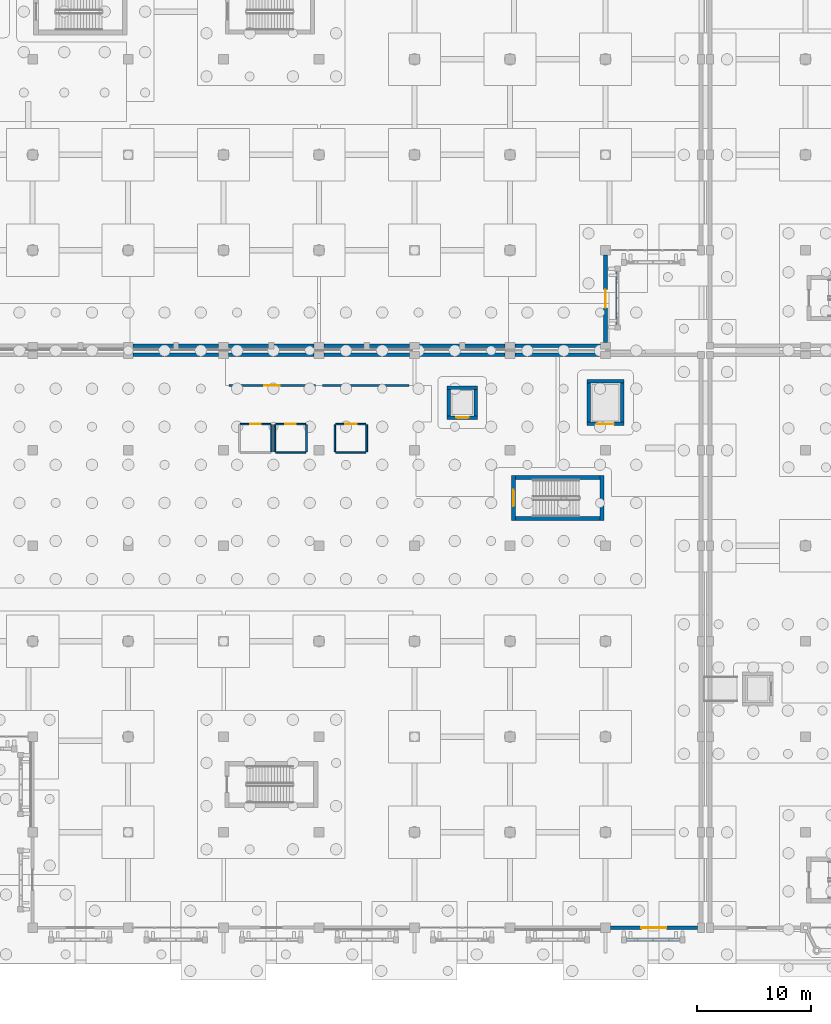
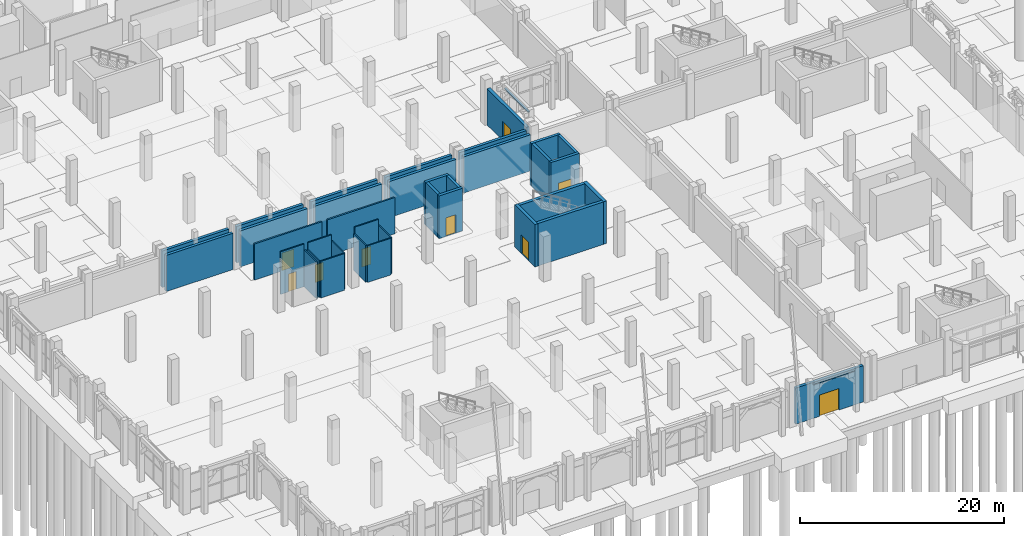
# One storey, part 62 of 98: 38 walls, 9 doors, 9 openings.
"""IFC4 building model written with IfcOpenShell, lengths in metres."""

from ifc_helpers import new_model, si_unit, direction, frame, frame_2d, origin, place, context, subcontext, project, spatial, rectangle, extrude, material, layer, layer_set, type_object, element, fill, save


model = new_model("IFC4")

# Units and contexts
model_context = context("Model", 3, precision=1e-05, world=origin(), true_north=direction((0.0, 1.0)))
body_context = subcontext(model_context, "Body", "Model", "MODEL_VIEW")
ifc_project = project(units=[si_unit("LENGTHUNIT", "METRE"), si_unit("AREAUNIT", "SQUARE_METRE"), si_unit("VOLUMEUNIT", "CUBIC_METRE"), si_unit("PLANEANGLEUNIT", "RADIAN"), si_unit("MASSUNIT", "GRAM", prefix="KILO")], contexts=[model_context])

# Site, building, storey
site_placement = place(None, origin())
site = spatial("IfcSite", under=ifc_project, at=site_placement, CompositionType="ELEMENT")
building_placement = place(site_placement, origin())
building = spatial("IfcBuilding", under=site, at=building_placement, Name="Xazarin Passage Department Store", CompositionType="ELEMENT")
storey_placement = place(building_placement, origin())
storey = spatial("IfcBuildingStorey", under=building, at=storey_placement, Name="L00", CompositionType="ELEMENT", Elevation=0.0)

# Wall, opening, door
ifc_material_1 = material(Name="Buff Baku clay brick", Category="masonry")
ifc_layer_1 = layer(ifc_material_1, 0.18505859375)
ifc_layer_set_1 = layer_set([ifc_layer_1], Name="Buff Baku clay brick")
wall_type_1 = type_object("IfcWallType", Name="ARC-W-CMP185", PredefinedType="PARTITIONING", material=ifc_layer_set_1)
wall_1_placement = place(storey_placement, frame((25.669921875, 47.699951171875, 0.0), z_axis=(0.0, 0.0, 1.0), x_axis=(1.0, 0.0, 0.0)))
wall_1 = element("IfcWall", 1, at=wall_1_placement, inside=storey, type_object=wall_type_1, Name="L00 Food Hall Front Wall 0071", PredefinedType="PARTITIONING", context=body_context, shape_type="SweptSolid", body=[
    extrude(rectangle(XDim=7.610107421875, YDim=0.18505859375, at=frame_2d((3.80517578125, 0.0))), origin(), (0.0, 0.0, 1.0), 4.330078125),
])
opening_1_placement = place(wall_1_placement, frame((3.125, 0.0, 0.0)))
opening_1 = element("IfcOpeningElement", 2, at=opening_1_placement, cuts=wall_1, Name="Opening ID31", PredefinedType="OPENING", context=body_context, shape_type="SweptSolid", body=[
    extrude(rectangle(XDim=1.360107421875, YDim=2.10009765625, at=frame_2d((0.68017578125, 1.050048828125))), frame((0.0, 0.1025390625, 0.0), z_axis=(0.0, -1.0, 0.0), x_axis=(1.0, 0.0, 0.0)), (0.0, 0.0, 1.0), 0.205078125),
])
ifc_material_2 = material(Name="Timber acoustic leaf", Category="wood")
door_type_1 = type_object("IfcDoorType", Name="ARC-DR-ID31", OperationType="NOTDEFINED", PredefinedType="DOOR", material=ifc_material_2)
door_1_placement = place(opening_1_placement, origin())
door_1 = element("IfcDoor", 3, at=door_1_placement, inside=storey, type_object=door_type_1, Name="DR-INT-L00-0071", OperationType="SINGLE_SWING_RIGHT", OverallHeight=2.10009765625, OverallWidth=1.360107421875, PredefinedType="DOOR", context=body_context, shape_type="SweptSolid", body=[
    extrude(rectangle(XDim=1.360107421875, YDim=2.10009765625, at=frame_2d((0.68017578125, 1.050048828125))), frame((0.0, 0.02490234375, 0.0), z_axis=(0.0, -1.0, 0.0), x_axis=(1.0, 0.0, 0.0)), (0.0, 0.0, 1.0), 0.050048828125),
])
fill(opening_1, door_1)

# Walls
wall_2_placement = place(storey_placement, frame((33.919921875, 47.699951171875, 0.0), z_axis=(0.0, 0.0, 1.0), x_axis=(1.0, 0.0, 0.0)))
element("IfcWall", 4, at=wall_2_placement, inside=storey, type_object=wall_type_1, Name="L00 Food Hall Front Wall 0072", PredefinedType="PARTITIONING", context=body_context, shape_type="SweptSolid", body=[
    extrude(rectangle(XDim=7.610107421875, YDim=0.18505859375, at=frame_2d((3.80517578125, 0.0))), origin(), (0.0, 0.0, 1.0), 4.330078125),
])
ifc_layer_2 = layer(ifc_material_1, 0.320068359375)
ifc_layer_set_2 = layer_set([ifc_layer_2], Name="Buff Baku clay brick")
wall_type_2 = type_object("IfcWallType", Name="ARC-W-EXT320", PredefinedType="SOLIDWALL", material=ifc_layer_set_2)
wall_3_placement = place(storey_placement, frame((17.22509765625, 51.199951171875, 0.0), z_axis=(0.0, 0.0, 1.0), x_axis=(1.0, 0.0, 0.0)))
element("IfcWall", 5, at=wall_3_placement, inside=storey, type_object=wall_type_2, Name="L00 V1 Exterior Wall 003", PredefinedType="SOLIDWALL", context=body_context, shape_type="SweptSolid", body=[
    extrude(rectangle(XDim=7.5498046875, YDim=0.320068359375, at=frame_2d((3.77490234375, 0.0))), origin(), (0.0, 0.0, 1.0), 4.35009765625),
])
for number, where, z_axis, x_axis, name in (
    (6, (25.625, 51.199951171875, 0.0), (0.0, 0.0, 1.0), (1.0, 0.0, 0.0), "L00 V1 Exterior Wall 004"),
    (7, (34.02490234375, 51.199951171875, 0.0), (0.0, 0.0, 1.0), (1.0, 0.0, 0.0), "L00 V1 Exterior Wall 005"),
    (8, (42.425048828125, 51.199951171875, 0.0), (0.0, 0.0, 1.0), (1.0, 0.0, 0.0), "L00 V1 Exterior Wall 006"),
    (9, (50.824951171875, 51.199951171875, 0.0), (0.0, 0.0, 1.0), (1.0, 0.0, 0.0), "L00 V1 Exterior Wall 007"),
):
    element("IfcWall", number, at=place(storey_placement, frame(where, z_axis=z_axis, x_axis=x_axis)), inside=storey, type_object=wall_type_2, Name=name, PredefinedType="SOLIDWALL", context=body_context, shape_type="SweptSolid", body=[
        extrude(rectangle(XDim=7.550048828125, YDim=0.320068359375, at=frame_2d((3.77490234375, 0.0))), origin(), (0.0, 0.0, 1.0), 4.35009765625),
    ])

# Wall, opening, door
wall_4_placement = place(storey_placement, frame((59.22509765625, 0.0, 0.0), z_axis=(0.0, 0.0, 1.0), x_axis=(1.0, 0.0, 0.0)))
wall_4 = element("IfcWall", 10, at=wall_4_placement, inside=storey, type_object=wall_type_2, Name="L00 V3 Exterior Wall 186", PredefinedType="SOLIDWALL", context=body_context, shape_type="SweptSolid", body=[
    extrude(rectangle(XDim=7.6748046875, YDim=0.320068359375, at=frame_2d((3.83740234375, 0.0))), origin(), (0.0, 0.0, 1.0), 4.330078125),
])
opening_2_placement = place(wall_4_placement, frame((2.737548828125, 0.0, 0.0)))
opening_2 = element("IfcOpeningElement", 11, at=opening_2_placement, cuts=wall_4, Name="Opening ED2", PredefinedType="OPENING", context=body_context, shape_type="SweptSolid", body=[
    extrude(rectangle(XDim=2.199951171875, YDim=2.550048828125, at=frame_2d((1.10009765625, 1.27490234375))), frame((0.0, 0.169921875, 0.0), z_axis=(0.0, -1.0, 0.0), x_axis=(1.0, 0.0, 0.0)), (0.0, 0.0, 1.0), 0.340087890625),
])
ifc_material_3 = material(Name="Bronze anodised aluminium", Category="aluminium")
door_type_2 = type_object("IfcDoorType", Name="ARC-DR-ENT220", OperationType="NOTDEFINED", PredefinedType="DOOR", material=ifc_material_3)
door_2_placement = place(opening_2_placement, origin())
door_2 = element("IfcDoor", 12, at=door_2_placement, inside=storey, type_object=door_type_2, Name="DR-EXT-017", OperationType="DOUBLE_DOOR_SINGLE_SWING", OverallHeight=2.550048828125, OverallWidth=2.199951171875, PredefinedType="DOOR", context=body_context, shape_type="SweptSolid", body=[
    extrude(rectangle(XDim=2.199951171875, YDim=2.550048828125, at=frame_2d((1.10009765625, 1.27490234375))), frame((0.0, 0.02490234375, 0.0), z_axis=(0.0, -1.0, 0.0), x_axis=(1.0, 0.0, 0.0)), (0.0, 0.0, 1.0), 0.050048828125),
])
fill(opening_2, door_2)

# Walls
wall_5_placement = place(storey_placement, frame((17.22509765625, 50.39990234375, 0.0), z_axis=(0.0, 0.0, 1.0), x_axis=(1.0, 0.0, 0.0)))
element("IfcWall", 13, at=wall_5_placement, inside=storey, type_object=wall_type_2, Name="L00 V3 Exterior Wall 189", PredefinedType="SOLIDWALL", context=body_context, shape_type="SweptSolid", body=[
    extrude(rectangle(XDim=7.5498046875, YDim=0.320068359375, at=frame_2d((3.77490234375, 0.0))), origin(), (0.0, 0.0, 1.0), 4.330078125),
])
for number, where, z_axis, x_axis, name in (
    (14, (25.625, 50.39990234375, 0.0), (0.0, 0.0, 1.0), (1.0, 0.0, 0.0), "L00 V3 Exterior Wall 190"),
    (15, (34.02490234375, 50.39990234375, 0.0), (0.0, 0.0, 1.0), (1.0, 0.0, 0.0), "L00 V3 Exterior Wall 191"),
    (16, (42.425048828125, 50.39990234375, 0.0), (0.0, 0.0, 1.0), (1.0, 0.0, 0.0), "L00 V3 Exterior Wall 192"),
    (17, (50.824951171875, 50.39990234375, 0.0), (0.0, 0.0, 1.0), (1.0, 0.0, 0.0), "L00 V3 Exterior Wall 193"),
):
    element("IfcWall", number, at=place(storey_placement, frame(where, z_axis=z_axis, x_axis=x_axis)), inside=storey, type_object=wall_type_2, Name=name, PredefinedType="SOLIDWALL", context=body_context, shape_type="SweptSolid", body=[
        extrude(rectangle(XDim=7.550048828125, YDim=0.320068359375, at=frame_2d((3.77490234375, 0.0))), origin(), (0.0, 0.0, 1.0), 4.330078125),
    ])

# Wall, opening, door
ifc_material_4 = material(Name="Absheron limestone cladding", Category="masonry")
ifc_layer_3 = layer(ifc_material_4, 0.360107421875)
ifc_layer_set_3 = layer_set([ifc_layer_3], Name="Absheron limestone cladding")
wall_type_3 = type_object("IfcWallType", Name="ARC-W-EXT360", PredefinedType="SOLIDWALL", material=ifc_layer_set_3)
wall_6_placement = place(storey_placement, frame((58.800048828125, 51.5, 0.0), z_axis=(0.0, 0.0, 1.0), x_axis=(0.0, 1.0, 0.0)))
wall_6 = element("IfcWall", 18, at=wall_6_placement, inside=storey, type_object=wall_type_3, Name="L00 V1 Exterior Wall 020", PredefinedType="SOLIDWALL", context=body_context, shape_type="SweptSolid", body=[
    extrude(rectangle(XDim=7.675048828125, YDim=0.360107421875, at=frame_2d((3.83740234375, 0.0))), origin(), (0.0, 0.0, 1.0), 4.35009765625),
])
opening_3_placement = place(wall_6_placement, frame((3.03759765625, 0.0, 0.0)))
opening_3 = element("IfcOpeningElement", 19, at=opening_3_placement, cuts=wall_6, Name="Opening ED5", PredefinedType="OPENING", context=body_context, shape_type="SweptSolid", body=[
    extrude(rectangle(XDim=1.60009765625, YDim=2.300048828125, at=frame_2d((0.800048828125, 1.14990234375))), frame((0.0, 0.18994140625, 0.0), z_axis=(0.0, -1.0, 0.0), x_axis=(1.0, 0.0, 0.0)), (0.0, 0.0, 1.0), 0.380126953125),
])
ifc_material_5 = material(Name="Steel S355", Category="steel")
door_type_3 = type_object("IfcDoorType", Name="ARC-DR-EXT160", OperationType="NOTDEFINED", PredefinedType="DOOR", material=ifc_material_5)
door_3_placement = place(opening_3_placement, origin())
door_3 = element("IfcDoor", 20, at=door_3_placement, inside=storey, type_object=door_type_3, Name="DR-EXT-007", OperationType="SINGLE_SWING_RIGHT", OverallHeight=2.300048828125, OverallWidth=1.60009765625, PredefinedType="DOOR", context=body_context, shape_type="SweptSolid", body=[
    extrude(rectangle(XDim=1.60009765625, YDim=2.300048828125, at=frame_2d((0.800048828125, 1.14990234375))), frame((0.0, 0.02490234375, 0.0), z_axis=(0.0, -1.0, 0.0), x_axis=(1.0, 0.0, 0.0)), (0.0, 0.0, 1.0), 0.050048828125),
])
fill(opening_3, door_3)

# Walls
ifc_material_6 = material(Name="Precast concrete C40/50", Category="concrete")
ifc_layer_4 = layer(ifc_material_6, 0.2099609375)
ifc_layer_set_4 = layer_set([ifc_layer_4], Name="Precast concrete C40/50")
wall_type_4 = type_object("IfcWallType", Name="ARC-W-PAR210", PredefinedType="PARAPET", material=ifc_layer_set_4)
wall_7_placement = place(storey_placement, frame((59.85009765625, 53.070068359375, 4.780029296875), z_axis=(0.0, 0.0, 1.0), x_axis=(0.0, 1.0, 0.0)))
element("IfcWall", 21, at=wall_7_placement, inside=storey, type_object=wall_type_4, Name="L00 V1 Pierced-Arch Spandrel Lintel 0083", PredefinedType="PARAPET", context=body_context, shape_type="SweptSolid", body=[
    extrude(rectangle(XDim=4.659912109375, YDim=0.2099609375, at=frame_2d((2.330078125, 0.0))), origin(), (0.0, 0.0, 1.0), 0.119873046875),
])
wall_8_placement = place(storey_placement, frame((60.669921875, -1.050048828125, 4.780029296875), z_axis=(0.0, 0.0, 1.0), x_axis=(1.0, 0.0, 0.0)))
element("IfcWall", 22, at=wall_8_placement, inside=storey, type_object=wall_type_4, Name="L00 V3 Pierced-Arch Spandrel Lintel 0128", PredefinedType="PARAPET", context=body_context, shape_type="SweptSolid", body=[
    extrude(rectangle(XDim=4.66015625, YDim=0.2099609375, at=frame_2d((2.330078125, 0.0))), origin(), (0.0, 0.0, 1.0), 0.119873046875),
])

# Wall, opening, door
ifc_material_7 = material(Name="Moisture-resistant masonry partition", Category="masonry")
ifc_layer_5 = layer(ifc_material_7, 0.139892578125)
ifc_layer_set_5 = layer_set([ifc_layer_5], Name="Moisture-resistant masonry partition")
wall_type_5 = type_object("IfcWallType", Name="ARC-W-PRT140", PredefinedType="PARTITIONING", material=ifc_layer_set_5)
wall_9_placement = place(storey_placement, frame((26.669921875, 44.300048828125, 0.0), z_axis=(0.0, 0.0, 1.0), x_axis=(1.0, 0.0, 0.0)))
wall_9 = element("IfcWall", 23, at=wall_9_placement, inside=storey, type_object=wall_type_5, Name="L00 Public Male WC 0059", PredefinedType="PARTITIONING", context=body_context, shape_type="SweptSolid", body=[
    extrude(rectangle(XDim=2.66015625, YDim=0.139892578125, at=frame_2d((1.330078125, 0.0))), origin(), (0.0, 0.0, 1.0), 5.10009765625),
])
opening_4_placement = place(wall_9_placement, frame((0.8701171875, 0.0, 0.0)))
opening_4 = element("IfcOpeningElement", 24, at=opening_4_placement, cuts=wall_9, Name="Opening ID1", PredefinedType="OPENING", context=body_context, shape_type="SweptSolid", body=[
    extrude(rectangle(XDim=0.919921875, YDim=2.1201171875, at=frame_2d((0.4599609375, 1.06005859375))), frame((0.0, 0.079833984375, 0.0), z_axis=(0.0, -1.0, 0.0), x_axis=(1.0, 0.0, 0.0)), (0.0, 0.0, 1.0), 0.159912109375),
])
door_type_4 = type_object("IfcDoorType", Name="ARC-DR-WC092", OperationType="NOTDEFINED", PredefinedType="DOOR", material=ifc_material_2)
door_4_placement = place(opening_4_placement, origin())
door_4 = element("IfcDoor", 25, at=door_4_placement, inside=storey, type_object=door_type_4, Name="DR-INT-L00-0059", OperationType="SINGLE_SWING_LEFT", OverallHeight=2.1201171875, OverallWidth=0.919921875, PredefinedType="DOOR", context=body_context, shape_type="SweptSolid", body=[
    extrude(rectangle(XDim=0.919921875, YDim=2.1201171875, at=frame_2d((0.4599609375, 1.06005859375))), frame((0.0, 0.02490234375, 0.0), z_axis=(0.0, -1.0, 0.0), x_axis=(1.0, 0.0, 0.0)), (0.0, 0.0, 1.0), 0.050048828125),
])
fill(opening_4, door_4)

# Wall
wall_10_placement = place(storey_placement, frame((29.39990234375, 41.8701171875, 0.0), z_axis=(0.0, 0.0, 1.0), x_axis=(0.0, 1.0, 0.0)))
element("IfcWall", 26, at=wall_10_placement, inside=storey, type_object=wall_type_5, Name="L00 Public Male WC Side Wall 0062", PredefinedType="PARTITIONING", context=body_context, shape_type="SweptSolid", body=[
    extrude(rectangle(XDim=2.35986328125, YDim=0.139892578125, at=frame_2d((1.179931640625, 0.0))), origin(), (0.0, 0.0, 1.0), 4.3798828125),
])

# Wall, opening, door
wall_11_placement = place(storey_placement, frame((29.77001953125, 44.300048828125, 0.0), z_axis=(0.0, 0.0, 1.0), x_axis=(1.0, 0.0, 0.0)))
wall_11 = element("IfcWall", 27, at=wall_11_placement, inside=storey, type_object=wall_type_5, Name="L00 Public Female WC 0063", PredefinedType="PARTITIONING", context=body_context, shape_type="SweptSolid", body=[
    extrude(rectangle(XDim=2.659912109375, YDim=0.139892578125, at=frame_2d((1.330078125, 0.0))), origin(), (0.0, 0.0, 1.0), 5.10009765625),
])
opening_5_placement = place(wall_11_placement, frame((0.8701171875, 0.0, 0.0)))
opening_5 = element("IfcOpeningElement", 28, at=opening_5_placement, cuts=wall_11, Name="Opening ID1", PredefinedType="OPENING", context=body_context, shape_type="SweptSolid", body=[
    extrude(rectangle(XDim=0.919921875, YDim=2.1201171875, at=frame_2d((0.4599609375, 1.06005859375))), frame((0.0, 0.079833984375, 0.0), z_axis=(0.0, -1.0, 0.0), x_axis=(1.0, 0.0, 0.0)), (0.0, 0.0, 1.0), 0.159912109375),
])
door_5_placement = place(opening_5_placement, origin())
door_5 = element("IfcDoor", 29, at=door_5_placement, inside=storey, type_object=door_type_4, Name="DR-INT-L00-0063", OperationType="SINGLE_SWING_RIGHT", OverallHeight=2.1201171875, OverallWidth=0.919921875, PredefinedType="DOOR", context=body_context, shape_type="SweptSolid", body=[
    extrude(rectangle(XDim=0.919921875, YDim=2.1201171875, at=frame_2d((0.4599609375, 1.06005859375))), frame((0.0, 0.02490234375, 0.0), z_axis=(0.0, -1.0, 0.0), x_axis=(1.0, 0.0, 0.0)), (0.0, 0.0, 1.0), 0.050048828125),
])
fill(opening_5, door_5)

# Walls
wall_12_placement = place(storey_placement, frame((29.77001953125, 41.800048828125, 0.0), z_axis=(0.0, 0.0, 1.0), x_axis=(1.0, 0.0, 0.0)))
element("IfcWall", 30, at=wall_12_placement, inside=storey, type_object=wall_type_5, Name="L00 Public Female WC Back Wall 0064", PredefinedType="PARTITIONING", context=body_context, shape_type="SweptSolid", body=[
    extrude(rectangle(XDim=2.659912109375, YDim=0.139892578125, at=frame_2d((1.330078125, 0.0))), origin(), (0.0, 0.0, 1.0), 4.3798828125),
])
for number, where, z_axis, x_axis, name in (
    (31, (29.699951171875, 41.8701171875, 0.0), (0.0, 0.0, 1.0), (0.0, 1.0, 0.0), "L00 Public Female WC Side Wall 0065"),
    (32, (32.5, 41.8701171875, 0.0), (0.0, 0.0, 1.0), (0.0, 1.0, 0.0), "L00 Public Female WC Side Wall 0066"),
):
    element("IfcWall", number, at=place(storey_placement, frame(where, z_axis=z_axis, x_axis=x_axis)), inside=storey, type_object=wall_type_5, Name=name, PredefinedType="PARTITIONING", context=body_context, shape_type="SweptSolid", body=[
        extrude(rectangle(XDim=2.35986328125, YDim=0.139892578125, at=frame_2d((1.179931640625, 0.0))), origin(), (0.0, 0.0, 1.0), 4.3798828125),
    ])

# Wall, opening, door
wall_13_placement = place(storey_placement, frame((35.070068359375, 44.300048828125, 0.0), z_axis=(0.0, 0.0, 1.0), x_axis=(1.0, 0.0, 0.0)))
wall_13 = element("IfcWall", 33, at=wall_13_placement, inside=storey, type_object=wall_type_5, Name="L00 Accessible WC 0067", PredefinedType="PARTITIONING", context=body_context, shape_type="SweptSolid", body=[
    extrude(rectangle(XDim=2.659912109375, YDim=0.139892578125, at=frame_2d((1.330078125, 0.0))), origin(), (0.0, 0.0, 1.0), 5.10009765625),
])
opening_6_placement = place(wall_13_placement, frame((0.820068359375, 0.0, 0.0)))
opening_6 = element("IfcOpeningElement", 34, at=opening_6_placement, cuts=wall_13, Name="Opening ID2", PredefinedType="OPENING", context=body_context, shape_type="SweptSolid", body=[
    extrude(rectangle(XDim=1.02001953125, YDim=2.14990234375, at=frame_2d((0.510009765625, 1.074951171875))), frame((0.0, 0.079833984375, 0.0), z_axis=(0.0, -1.0, 0.0), x_axis=(1.0, 0.0, 0.0)), (0.0, 0.0, 1.0), 0.159912109375),
])
door_type_5 = type_object("IfcDoorType", Name="ARC-DR-AWC102", OperationType="NOTDEFINED", PredefinedType="DOOR", material=ifc_material_2)
door_6_placement = place(opening_6_placement, origin())
door_6 = element("IfcDoor", 35, at=door_6_placement, inside=storey, type_object=door_type_5, Name="DR-INT-L00-0067", OperationType="SINGLE_SWING_LEFT", OverallHeight=2.14990234375, OverallWidth=1.02001953125, PredefinedType="DOOR", context=body_context, shape_type="SweptSolid", body=[
    extrude(rectangle(XDim=1.02001953125, YDim=2.14990234375, at=frame_2d((0.510009765625, 1.074951171875))), frame((0.0, 0.02490234375, 0.0), z_axis=(0.0, -1.0, 0.0), x_axis=(1.0, 0.0, 0.0)), (0.0, 0.0, 1.0), 0.050048828125),
])
fill(opening_6, door_6)

# Walls
wall_14_placement = place(storey_placement, frame((35.070068359375, 41.800048828125, 0.0), z_axis=(0.0, 0.0, 1.0), x_axis=(1.0, 0.0, 0.0)))
element("IfcWall", 36, at=wall_14_placement, inside=storey, type_object=wall_type_5, Name="L00 Accessible WC Back Wall 0068", PredefinedType="PARTITIONING", context=body_context, shape_type="SweptSolid", body=[
    extrude(rectangle(XDim=2.659912109375, YDim=0.139892578125, at=frame_2d((1.330078125, 0.0))), origin(), (0.0, 0.0, 1.0), 4.3798828125),
])
for number, where, z_axis, x_axis, name in (
    (37, (35.0, 41.8701171875, 0.0), (0.0, 0.0, 1.0), (0.0, 1.0, 0.0), "L00 Accessible WC Side Wall 0069"),
    (38, (37.800048828125, 41.8701171875, 0.0), (0.0, 0.0, 1.0), (0.0, 1.0, 0.0), "L00 Accessible WC Side Wall 0070"),
):
    element("IfcWall", number, at=place(storey_placement, frame(where, z_axis=z_axis, x_axis=x_axis)), inside=storey, type_object=wall_type_5, Name=name, PredefinedType="PARTITIONING", context=body_context, shape_type="SweptSolid", body=[
        extrude(rectangle(XDim=2.35986328125, YDim=0.139892578125, at=frame_2d((1.179931640625, 0.0))), origin(), (0.0, 0.0, 1.0), 4.3798828125),
    ])

# Wall, opening, door
ifc_material_8 = material(Name="Concrete C40/50", Category="concrete")
ifc_layer_6 = layer(ifc_material_8, 0.31005859375)
ifc_layer_set_6 = layer_set([ifc_layer_6], Name="Concrete C40/50")
wall_type_6 = type_object("IfcWallType", Name="STR-W-LFT310", PredefinedType="SHEAR", material=ifc_layer_set_6)
wall_15_placement = place(storey_placement, frame((44.8701171875, 44.875, 0.0), z_axis=(0.0, 0.0, 1.0), x_axis=(1.0, 0.0, 0.0)))
wall_15 = element("IfcWall", 39, at=wall_15_placement, inside=storey, type_object=wall_type_6, Name="L00 Lift PL4 Shaft Wall South", PredefinedType="SHEAR", context=body_context, shape_type="SweptSolid", body=[
    extrude(rectangle(XDim=2.659912109375, YDim=0.31005859375, at=frame_2d((1.330078125, 0.0))), origin(), (0.0, 0.0, 1.0), 5.10009765625),
])
opening_7_placement = place(wall_15_placement, frame((0.780029296875, 0.0, 0.0)))
opening_7 = element("IfcOpeningElement", 40, at=opening_7_placement, cuts=wall_15, Name="Opening LD-PL4-L00", PredefinedType="OPENING", context=body_context, shape_type="SweptSolid", body=[
    extrude(rectangle(XDim=1.10009765625, YDim=2.199951171875, at=frame_2d((0.550048828125, 1.10009765625))), frame((0.0, 0.1650390625, 0.0), z_axis=(0.0, -1.0, 0.0), x_axis=(1.0, 0.0, 0.0)), (0.0, 0.0, 1.0), 0.330078125),
])
door_type_6 = type_object("IfcDoorType", Name="ARC-DR-LD110", OperationType="NOTDEFINED", PredefinedType="DOOR", material=ifc_material_5)
door_7_placement = place(opening_7_placement, origin())
door_7 = element("IfcDoor", 41, at=door_7_placement, inside=storey, type_object=door_type_6, Name="DR-LD-PL4-L00", OperationType="SLIDING_TO_LEFT", OverallHeight=2.199951171875, OverallWidth=1.10009765625, PredefinedType="DOOR", context=body_context, shape_type="SweptSolid", body=[
    extrude(rectangle(XDim=1.10009765625, YDim=2.199951171875, at=frame_2d((0.550048828125, 1.10009765625))), frame((0.0, 0.02490234375, 0.0), z_axis=(0.0, -1.0, 0.0), x_axis=(1.0, 0.0, 0.0)), (0.0, 0.0, 1.0), 0.050048828125),
])
fill(opening_7, door_7)

# Walls
wall_16_placement = place(storey_placement, frame((44.8701171875, 47.52490234375, 0.0), z_axis=(0.0, 0.0, 1.0), x_axis=(1.0, 0.0, 0.0)))
element("IfcWall", 42, at=wall_16_placement, inside=storey, type_object=wall_type_6, Name="L00 Lift PL4 Shaft Wall North", PredefinedType="SHEAR", context=body_context, shape_type="SweptSolid", body=[
    extrude(rectangle(XDim=2.659912109375, YDim=0.31005859375, at=frame_2d((1.330078125, 0.0))), origin(), (0.0, 0.0, 1.0), 5.10009765625),
])
for number, where, z_axis, x_axis, name in (
    (43, (45.02490234375, 45.030029296875, 0.0), (0.0, 0.0, 1.0), (0.0, 1.0, 0.0), "L00 Lift PL4 Shaft Wall West"),
    (44, (47.375, 45.030029296875, 0.0), (0.0, 0.0, 1.0), (0.0, 1.0, 0.0), "L00 Lift PL4 Shaft Wall East"),
):
    element("IfcWall", number, at=place(storey_placement, frame(where, z_axis=z_axis, x_axis=x_axis)), inside=storey, type_object=wall_type_6, Name=name, PredefinedType="SHEAR", context=body_context, shape_type="SweptSolid", body=[
        extrude(rectangle(XDim=2.340087890625, YDim=0.31005859375, at=frame_2d((1.169921875, 0.0))), origin(), (0.0, 0.0, 1.0), 5.10009765625),
    ])

# Wall, opening, door
wall_17_placement = place(storey_placement, frame((57.169921875, 44.324951171875, 0.0), z_axis=(0.0, 0.0, 1.0), x_axis=(1.0, 0.0, 0.0)))
wall_17 = element("IfcWall", 45, at=wall_17_placement, inside=storey, type_object=wall_type_6, Name="L00 Lift GL3 Shaft Wall South", PredefinedType="SHEAR", context=body_context, shape_type="SweptSolid", body=[
    extrude(rectangle(XDim=3.260009765625, YDim=0.31005859375, at=frame_2d((1.6298828125, 0.0))), origin(), (0.0, 0.0, 1.0), 5.10009765625),
])
opening_8_placement = place(wall_17_placement, frame((0.8798828125, 0.0, 0.0)))
opening_8 = element("IfcOpeningElement", 46, at=opening_8_placement, cuts=wall_17, Name="Opening LD-GL3-L00", PredefinedType="OPENING", context=body_context, shape_type="SweptSolid", body=[
    extrude(rectangle(XDim=1.5, YDim=2.35009765625, at=frame_2d((0.75, 1.175048828125))), frame((0.0, 0.1650390625, 0.0), z_axis=(0.0, -1.0, 0.0), x_axis=(1.0, 0.0, 0.0)), (0.0, 0.0, 1.0), 0.330078125),
])
door_type_7 = type_object("IfcDoorType", Name="ARC-DR-LD150", OperationType="NOTDEFINED", PredefinedType="DOOR", material=ifc_material_5)
door_8_placement = place(opening_8_placement, origin())
door_8 = element("IfcDoor", 47, at=door_8_placement, inside=storey, type_object=door_type_7, Name="DR-LD-GL3-L00", OperationType="SLIDING_TO_LEFT", OverallHeight=2.35009765625, OverallWidth=1.5, PredefinedType="DOOR", context=body_context, shape_type="SweptSolid", body=[
    extrude(rectangle(XDim=1.5, YDim=2.35009765625, at=frame_2d((0.75, 1.175048828125))), frame((0.0, 0.02490234375, 0.0), z_axis=(0.0, -1.0, 0.0), x_axis=(1.0, 0.0, 0.0)), (0.0, 0.0, 1.0), 0.050048828125),
])
fill(opening_8, door_8)

# Walls
wall_18_placement = place(storey_placement, frame((57.169921875, 48.074951171875, 0.0), z_axis=(0.0, 0.0, 1.0), x_axis=(1.0, 0.0, 0.0)))
element("IfcWall", 48, at=wall_18_placement, inside=storey, type_object=wall_type_6, Name="L00 Lift GL3 Shaft Wall North", PredefinedType="SHEAR", context=body_context, shape_type="SweptSolid", body=[
    extrude(rectangle(XDim=3.260009765625, YDim=0.31005859375, at=frame_2d((1.6298828125, 0.0))), origin(), (0.0, 0.0, 1.0), 5.10009765625),
])
for number, where, z_axis, x_axis, name in (
    (49, (57.324951171875, 44.47998046875, 0.0), (0.0, 0.0, 1.0), (0.0, 1.0, 0.0), "L00 Lift GL3 Shaft Wall West"),
    (50, (60.27490234375, 44.47998046875, 0.0), (0.0, 0.0, 1.0), (0.0, 1.0, 0.0), "L00 Lift GL3 Shaft Wall East"),
):
    element("IfcWall", number, at=place(storey_placement, frame(where, z_axis=z_axis, x_axis=x_axis)), inside=storey, type_object=wall_type_6, Name=name, PredefinedType="SHEAR", context=body_context, shape_type="SweptSolid", body=[
        extrude(rectangle(XDim=3.43994140625, YDim=0.31005859375, at=frame_2d((1.719970703125, 0.0))), origin(), (0.0, 0.0, 1.0), 5.10009765625),
    ])

# Wall, opening, door
ifc_layer_7 = layer(ifc_material_8, 0.35009765625)
ifc_layer_set_7 = layer_set([ifc_layer_7], Name="Concrete C40/50")
wall_type_7 = type_object("IfcWallType", Name="STR-W-SHR350", PredefinedType="SHEAR", material=ifc_layer_set_7)
wall_19_placement = place(storey_placement, frame((50.72509765625, 35.830078125, 0.0), z_axis=(0.0, 0.0, 1.0), x_axis=(0.0, 1.0, 0.0)))
wall_19 = element("IfcWall", 51, at=wall_19_placement, inside=storey, type_object=wall_type_7, Name="L00 Core K9 West Shear Wall", PredefinedType="SHEAR", context=body_context, shape_type="SweptSolid", body=[
    extrude(rectangle(XDim=3.93994140625, YDim=0.35009765625, at=frame_2d((1.969970703125, 0.0))), origin(), (0.0, 0.0, 1.0), 5.080078125),
])
opening_9_placement = place(wall_19_placement, frame((1.2451171875, 0.0, 0.0)))
opening_9 = element("IfcOpeningElement", 52, at=opening_9_placement, cuts=wall_19, Name="Opening FD1", PredefinedType="OPENING", context=body_context, shape_type="SweptSolid", body=[
    extrude(rectangle(XDim=1.449951171875, YDim=2.199951171875, at=frame_2d((0.72509765625, 1.10009765625))), frame((0.0, 0.18505859375, 0.0), z_axis=(0.0, -1.0, 0.0), x_axis=(1.0, 0.0, 0.0)), (0.0, 0.0, 1.0), 0.3701171875),
])
door_type_8 = type_object("IfcDoorType", Name="ARC-DR-STR145", OperationType="NOTDEFINED", PredefinedType="DOOR", material=ifc_material_5)
door_9_placement = place(opening_9_placement, origin())
door_9 = element("IfcDoor", 53, at=door_9_placement, inside=storey, type_object=door_type_8, Name="DR-STR-K9-L00", OperationType="SINGLE_SWING_LEFT", OverallHeight=2.199951171875, OverallWidth=1.449951171875, PredefinedType="DOOR", context=body_context, shape_type="SweptSolid", body=[
    extrude(rectangle(XDim=1.449951171875, YDim=2.199951171875, at=frame_2d((0.72509765625, 1.10009765625))), frame((0.0, 0.02490234375, 0.0), z_axis=(0.0, -1.0, 0.0), x_axis=(1.0, 0.0, 0.0)), (0.0, 0.0, 1.0), 0.050048828125),
])
fill(opening_9, door_9)

# Walls
wall_20_placement = place(storey_placement, frame((58.47509765625, 35.830078125, 0.0), z_axis=(0.0, 0.0, 1.0), x_axis=(0.0, 1.0, 0.0)))
element("IfcWall", 54, at=wall_20_placement, inside=storey, type_object=wall_type_7, Name="L00 Core K9 East Shear Wall", PredefinedType="SHEAR", context=body_context, shape_type="SweptSolid", body=[
    extrude(rectangle(XDim=3.93994140625, YDim=0.35009765625, at=frame_2d((1.969970703125, 0.0))), origin(), (0.0, 0.0, 1.0), 5.080078125),
])
for number, where, z_axis, x_axis, name in (
    (55, (50.89990234375, 36.0048828125, 0.0), (0.0, 0.0, 1.0), (1.0, 0.0, 0.0), "L00 Core K9 South Shear Wall"),
    (56, (50.89990234375, 39.594970703125, 0.0), (0.0, 0.0, 1.0), (1.0, 0.0, 0.0), "L00 Core K9 North Shear Wall"),
):
    element("IfcWall", number, at=place(storey_placement, frame(where, z_axis=z_axis, x_axis=x_axis)), inside=storey, type_object=wall_type_7, Name=name, PredefinedType="SHEAR", context=body_context, shape_type="SweptSolid", body=[
        extrude(rectangle(XDim=7.400146484375, YDim=0.35009765625, at=frame_2d((3.7001953125, 0.0))), origin(), (0.0, 0.0, 1.0), 5.080078125),
    ])

save(model, "model.ifc")
